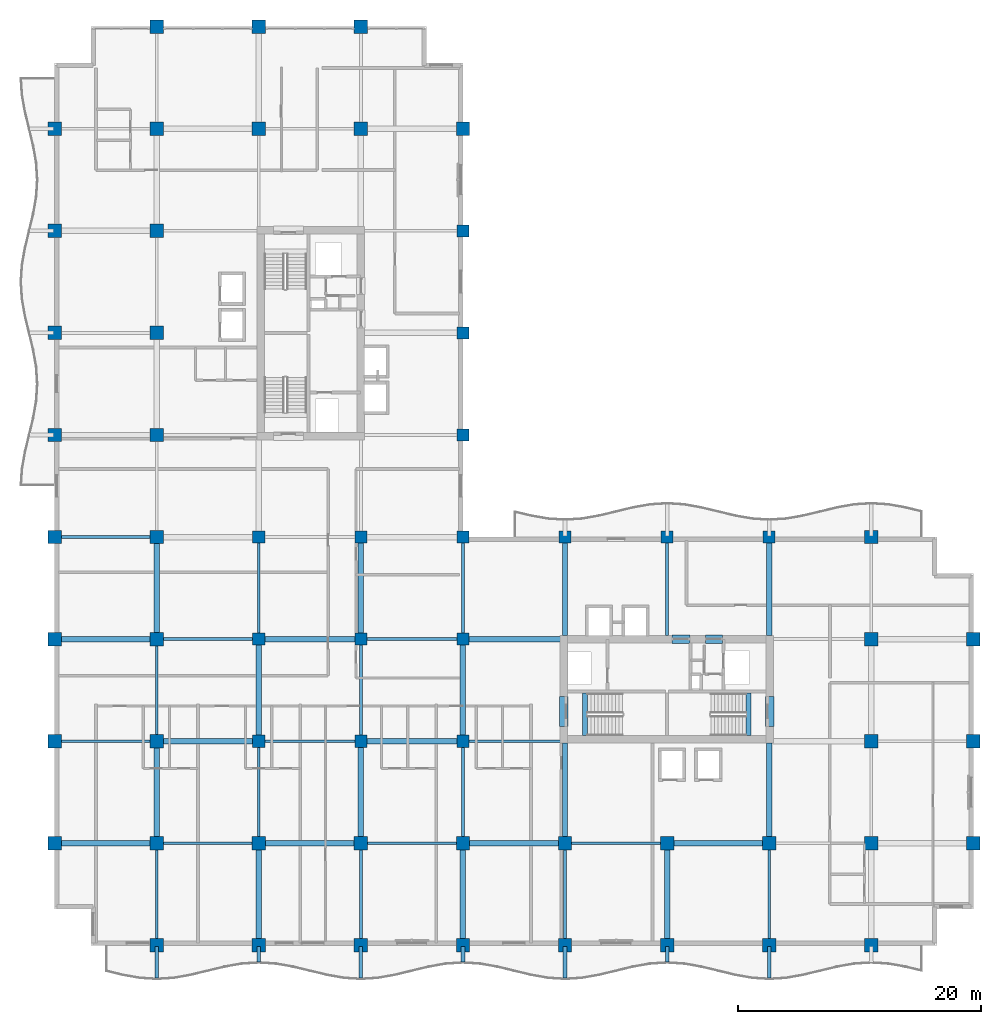
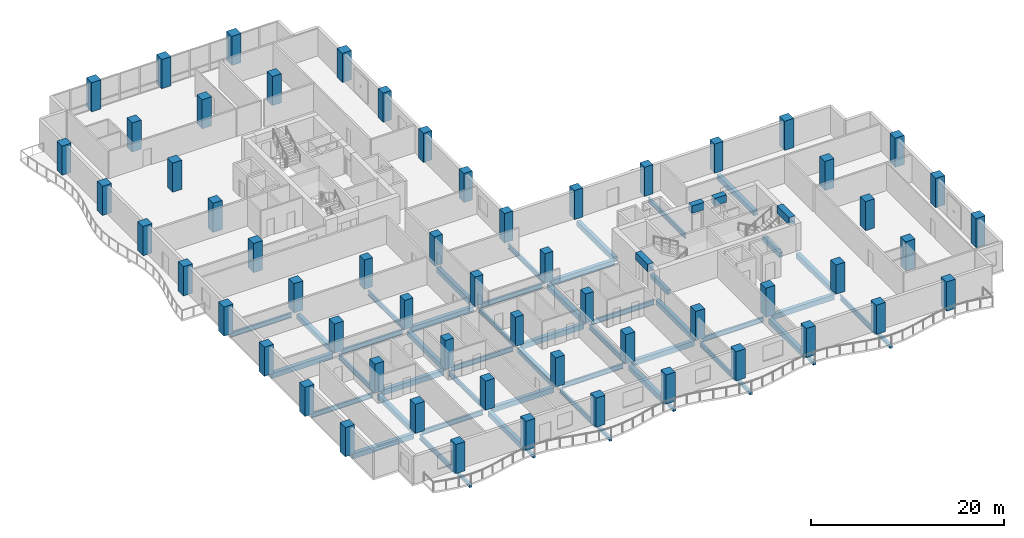
# One storey, part 1 of 18: 58 columns, 55 beams.
"""IFC4 building model written with IfcOpenShell, lengths in metres."""

from ifc_helpers import new_model, si_unit, direction, frame, origin, origin_2d, place, context, subcontext, project, spatial, rectangle, i_section, extrude, material, material_profile, profile_set, type_object, element, save


model = new_model("IFC4")

# Units and contexts
model_context = context("Model", 3, precision=1e-05, world=origin(), true_north=direction((0.0, 1.0)))
body_context = subcontext(model_context, "Body", "Model", "MODEL_VIEW")
ifc_project = project(units=[si_unit("LENGTHUNIT", "METRE"), si_unit("AREAUNIT", "SQUARE_METRE"), si_unit("VOLUMEUNIT", "CUBIC_METRE"), si_unit("PLANEANGLEUNIT", "RADIAN"), si_unit("MASSUNIT", "GRAM", prefix="KILO")], contexts=[model_context])

# Site, building, storey
site_placement = place(None, origin())
site = spatial("IfcSite", under=ifc_project, at=site_placement, CompositionType="ELEMENT")
building_placement = place(site_placement, origin())
building = spatial("IfcBuilding", under=site, at=building_placement, Name="Koriwani Terraces Tower", CompositionType="ELEMENT")
storey_placement = place(building_placement, frame((0.0, 0.0, 205.0)))
storey = spatial("IfcBuildingStorey", under=building, at=storey_placement, Name="L50", CompositionType="ELEMENT", Elevation=205.0)

# Columns
ifc_material_1 = material(Name="Concrete C50/60", Category="concrete")
ifc_material_profile_1 = material_profile(ifc_material_1, rectangle(XDim=1.0, YDim=1.0, at=origin_2d()), Name="Concrete C50/60", Category="LoadBearing")
ifc_profile_set_1 = profile_set([ifc_material_profile_1], Name="Concrete C50/60")
column_type_1 = type_object("IfcColumnType", Name="COL_RC_1000X1000", PredefinedType="COLUMN", material=ifc_profile_set_1)
for number, where, z_axis, x_axis, name in (
    (1, (16.800048828125, 16.800048828125, 0.0), (0.0, 0.0, 1.0), (1.0, 0.0, 0.0), "L50 Column 3/C"),
    (2, (16.800048828125, 25.199951171875, 0.0), (0.0, 0.0, 1.0), (1.0, 0.0, 0.0), "L50 Column 3/D"),
    (3, (16.800048828125, 33.60009765625, 0.0), (0.0, 0.0, 1.0), (1.0, 0.0, 0.0), "L50 Column 3/E"),
    (4, (25.199951171875, 16.800048828125, 0.0), (0.0, 0.0, 1.0), (1.0, 0.0, 0.0), "L50 Column 4/C"),
    (5, (25.199951171875, 25.199951171875, 0.0), (0.0, 0.0, 1.0), (1.0, 0.0, 0.0), "L50 Column 4/D"),
    (6, (25.199951171875, 33.60009765625, 0.0), (0.0, 0.0, 1.0), (1.0, 0.0, 0.0), "L50 Column 4/E"),
    (7, (33.60009765625, 16.800048828125, 0.0), (0.0, 0.0, 1.0), (1.0, 0.0, 0.0), "L50 Column 5/C"),
    (8, (33.60009765625, 25.199951171875, 0.0), (0.0, 0.0, 1.0), (1.0, 0.0, 0.0), "L50 Column 5/D"),
    (9, (33.60009765625, 33.60009765625, 0.0), (0.0, 0.0, 1.0), (1.0, 0.0, 0.0), "L50 Column 5/E"),
    (10, (33.60009765625, 42.0, 0.0), (0.0, 0.0, 1.0), (1.0, 0.0, 0.0), "L50 Column 5/F"),
    (11, (33.60009765625, 50.39990234375, 0.0), (0.0, 0.0, 1.0), (1.0, 0.0, 0.0), "L50 Column 5/G"),
    (12, (33.60009765625, 58.800048828125, 0.0), (0.0, 0.0, 1.0), (1.0, 0.0, 0.0), "L50 Column 5/H"),
    (13, (42.0, 33.60009765625, 0.0), (0.0, 0.0, 1.0), (1.0, 0.0, 0.0), "L50 Column 6/E"),
    (14, (50.39990234375, 33.60009765625, 0.0), (0.0, 0.0, 1.0), (1.0, 0.0, 0.0), "L50 Column 7/E"),
    (15, (58.800048828125, 33.60009765625, 0.0), (0.0, 0.0, 1.0), (1.0, 0.0, 0.0), "L50 Column 8/E"),
):
    element("IfcColumn", number, at=place(storey_placement, frame(where, z_axis=z_axis, x_axis=x_axis)), inside=storey, type_object=column_type_1, Name=name, PredefinedType="COLUMN", context=body_context, shape_type="SweptSolid", body=[
        extrude(rectangle(XDim=1.0, YDim=1.0, at=origin_2d()), origin(), (0.0, 0.0, 1.0), 3.699951171875),
    ])
ifc_material_profile_2 = material_profile(ifc_material_1, rectangle(XDim=1.10009765625, YDim=1.10009765625, at=origin_2d()), Name="Concrete C50/60", Category="LoadBearing")
ifc_profile_set_2 = profile_set([ifc_material_profile_2], Name="Concrete C50/60")
column_type_2 = type_object("IfcColumnType", Name="COL_RC_1100X1100", PredefinedType="COLUMN", material=ifc_profile_set_2)
for number, where, z_axis, x_axis, name in (
    (16, (0.0, 8.39990234375, 0.0), (0.0, 0.0, 1.0), (1.0, 0.0, 0.0), "L50 Column 1/B"),
    (17, (0.0, 16.800048828125, 0.0), (0.0, 0.0, 1.0), (1.0, 0.0, 0.0), "L50 Column 1/C"),
    (18, (0.0, 25.199951171875, 0.0), (0.0, 0.0, 1.0), (1.0, 0.0, 0.0), "L50 Column 1/D"),
    (19, (0.0, 33.60009765625, 0.0), (0.0, 0.0, 1.0), (1.0, 0.0, 0.0), "L50 Column 1/E"),
    (20, (0.0, 42.0, 0.0), (0.0, 0.0, 1.0), (1.0, 0.0, 0.0), "L50 Column 1/F"),
    (21, (0.0, 50.39990234375, 0.0), (0.0, 0.0, 1.0), (1.0, 0.0, 0.0), "L50 Column 1/G"),
    (22, (0.0, 58.800048828125, 0.0), (0.0, 0.0, 1.0), (1.0, 0.0, 0.0), "L50 Column 1/H"),
    (23, (0.0, 67.199951171875, 0.0), (0.0, 0.0, 1.0), (1.0, 0.0, 0.0), "L50 Column 1/I"),
    (24, (8.39990234375, 0.0, 0.0), (0.0, 0.0, 1.0), (1.0, 0.0, 0.0), "L50 Column 2/A"),
    (25, (8.39990234375, 8.39990234375, 0.0), (0.0, 0.0, 1.0), (1.0, 0.0, 0.0), "L50 Column 2/B"),
    (26, (8.39990234375, 16.800048828125, 0.0), (0.0, 0.0, 1.0), (1.0, 0.0, 0.0), "L50 Column 2/C"),
    (27, (8.39990234375, 25.199951171875, 0.0), (0.0, 0.0, 1.0), (1.0, 0.0, 0.0), "L50 Column 2/D"),
    (28, (8.39990234375, 33.60009765625, 0.0), (0.0, 0.0, 1.0), (1.0, 0.0, 0.0), "L50 Column 2/E"),
    (29, (8.39990234375, 42.0, 0.0), (0.0, 0.0, 1.0), (1.0, 0.0, 0.0), "L50 Column 2/F"),
    (30, (8.39990234375, 50.39990234375, 0.0), (0.0, 0.0, 1.0), (1.0, 0.0, 0.0), "L50 Column 2/G"),
    (31, (8.39990234375, 58.800048828125, 0.0), (0.0, 0.0, 1.0), (1.0, 0.0, 0.0), "L50 Column 2/H"),
    (32, (8.39990234375, 67.199951171875, 0.0), (0.0, 0.0, 1.0), (1.0, 0.0, 0.0), "L50 Column 2/I"),
    (33, (8.39990234375, 75.60009765625, 0.0), (0.0, 0.0, 1.0), (1.0, 0.0, 0.0), "L50 Column 2/J"),
    (34, (16.800048828125, 0.0, 0.0), (0.0, 0.0, 1.0), (1.0, 0.0, 0.0), "L50 Column 3/A"),
    (35, (16.800048828125, 8.39990234375, 0.0), (0.0, 0.0, 1.0), (1.0, 0.0, 0.0), "L50 Column 3/B"),
    (36, (16.800048828125, 67.199951171875, 0.0), (0.0, 0.0, 1.0), (1.0, 0.0, 0.0), "L50 Column 3/I"),
    (37, (16.800048828125, 75.60009765625, 0.0), (0.0, 0.0, 1.0), (1.0, 0.0, 0.0), "L50 Column 3/J"),
    (38, (25.199951171875, 0.0, 0.0), (0.0, 0.0, 1.0), (1.0, 0.0, 0.0), "L50 Column 4/A"),
    (39, (25.199951171875, 8.39990234375, 0.0), (0.0, 0.0, 1.0), (1.0, 0.0, 0.0), "L50 Column 4/B"),
    (40, (25.199951171875, 67.199951171875, 0.0), (0.0, 0.0, 1.0), (1.0, 0.0, 0.0), "L50 Column 4/I"),
    (41, (25.199951171875, 75.60009765625, 0.0), (0.0, 0.0, 1.0), (1.0, 0.0, 0.0), "L50 Column 4/J"),
    (42, (33.60009765625, 0.0, 0.0), (0.0, 0.0, 1.0), (1.0, 0.0, 0.0), "L50 Column 5/A"),
    (43, (33.60009765625, 8.39990234375, 0.0), (0.0, 0.0, 1.0), (1.0, 0.0, 0.0), "L50 Column 5/B"),
    (44, (33.60009765625, 67.199951171875, 0.0), (0.0, 0.0, 1.0), (1.0, 0.0, 0.0), "L50 Column 5/I"),
    (45, (42.0, 0.0, 0.0), (0.0, 0.0, 1.0), (1.0, 0.0, 0.0), "L50 Column 6/A"),
    (46, (42.0, 8.39990234375, 0.0), (0.0, 0.0, 1.0), (1.0, 0.0, 0.0), "L50 Column 6/B"),
    (47, (50.39990234375, 0.0, 0.0), (0.0, 0.0, 1.0), (1.0, 0.0, 0.0), "L50 Column 7/A"),
    (48, (50.39990234375, 8.39990234375, 0.0), (0.0, 0.0, 1.0), (1.0, 0.0, 0.0), "L50 Column 7/B"),
    (49, (58.800048828125, 0.0, 0.0), (0.0, 0.0, 1.0), (1.0, 0.0, 0.0), "L50 Column 8/A"),
    (50, (58.800048828125, 8.39990234375, 0.0), (0.0, 0.0, 1.0), (1.0, 0.0, 0.0), "L50 Column 8/B"),
    (51, (67.199951171875, 0.0, 0.0), (0.0, 0.0, 1.0), (1.0, 0.0, 0.0), "L50 Column 9/A"),
    (52, (67.199951171875, 8.39990234375, 0.0), (0.0, 0.0, 1.0), (1.0, 0.0, 0.0), "L50 Column 9/B"),
    (53, (67.199951171875, 16.800048828125, 0.0), (0.0, 0.0, 1.0), (1.0, 0.0, 0.0), "L50 Column 9/C"),
    (54, (67.199951171875, 25.199951171875, 0.0), (0.0, 0.0, 1.0), (1.0, 0.0, 0.0), "L50 Column 9/D"),
    (55, (67.199951171875, 33.60009765625, 0.0), (0.0, 0.0, 1.0), (1.0, 0.0, 0.0), "L50 Column 9/E"),
    (56, (75.60009765625, 8.39990234375, 0.0), (0.0, 0.0, 1.0), (1.0, 0.0, 0.0), "L50 Column 10/B"),
    (57, (75.60009765625, 16.800048828125, 0.0), (0.0, 0.0, 1.0), (1.0, 0.0, 0.0), "L50 Column 10/C"),
    (58, (75.60009765625, 25.199951171875, 0.0), (0.0, 0.0, 1.0), (1.0, 0.0, 0.0), "L50 Column 10/D"),
):
    element("IfcColumn", number, at=place(storey_placement, frame(where, z_axis=z_axis, x_axis=x_axis)), inside=storey, type_object=column_type_2, Name=name, PredefinedType="COLUMN", context=body_context, shape_type="SweptSolid", body=[
        extrude(rectangle(XDim=1.10009765625, YDim=1.10009765625, at=origin_2d()), origin(), (0.0, 0.0, 1.0), 3.699951171875),
    ])

# Beams
ifc_material_2 = material(Name="Concrete C40/50", Category="concrete")
ifc_material_profile_3 = material_profile(ifc_material_2, rectangle(XDim=0.300048828125, YDim=0.39990234375, at=origin_2d()), Name="Concrete C40/50", Category="LoadBearing")
ifc_profile_set_3 = profile_set([ifc_material_profile_3], Name="Concrete C40/50")
beam_type_1 = type_object("IfcBeamType", Name="BEAM_RC_BALCONY_RIB_300X400", PredefinedType="JOIST", material=ifc_profile_set_3)
beam_1_placement = place(storey_placement, frame((8.39990234375, -2.699951171875, -0.429931640625), z_axis=(0.0, 1.0, 0.0), x_axis=(-1.0, 0.0, 0.0)))
element("IfcBeam", 59, at=beam_1_placement, inside=storey, type_object=beam_type_1, Name="L50 Balcony Bracket Rib S-1", PredefinedType="JOIST", context=body_context, shape_type="SweptSolid", body=[
    extrude(rectangle(XDim=0.300048828125, YDim=0.39990234375, at=origin_2d()), origin(), (0.0, 0.0, 1.0), 2.599853515625),
])
beam_2_placement = place(storey_placement, frame((16.800048828125, -1.35009765625, -0.429931640625), z_axis=(0.0, 1.0, 0.0), x_axis=(-1.0, 0.0, 0.0)))
element("IfcBeam", 60, at=beam_2_placement, inside=storey, type_object=beam_type_1, Name="L50 Balcony Bracket Rib S-2", PredefinedType="JOIST", context=body_context, shape_type="SweptSolid", body=[
    extrude(rectangle(XDim=0.300048828125, YDim=0.39990234375, at=origin_2d()), origin(), (0.0, 0.0, 1.0), 1.25),
])
beam_3_placement = place(storey_placement, frame((25.199951171875, -2.699951171875, -0.429931640625), z_axis=(0.0, 1.0, 0.0), x_axis=(-1.0, 0.0, 0.0)))
element("IfcBeam", 61, at=beam_3_placement, inside=storey, type_object=beam_type_1, Name="L50 Balcony Bracket Rib S-3", PredefinedType="JOIST", context=body_context, shape_type="SweptSolid", body=[
    extrude(rectangle(XDim=0.300048828125, YDim=0.39990234375, at=origin_2d()), origin(), (0.0, 0.0, 1.0), 2.599853515625),
])
beam_4_placement = place(storey_placement, frame((33.60009765625, -1.35009765625, -0.429931640625), z_axis=(0.0, 1.0, 0.0), x_axis=(-1.0, 0.0, 0.0)))
element("IfcBeam", 62, at=beam_4_placement, inside=storey, type_object=beam_type_1, Name="L50 Balcony Bracket Rib S-4", PredefinedType="JOIST", context=body_context, shape_type="SweptSolid", body=[
    extrude(rectangle(XDim=0.300048828125, YDim=0.39990234375, at=origin_2d()), origin(), (0.0, 0.0, 1.0), 1.25),
])
beam_5_placement = place(storey_placement, frame((42.0, -2.699951171875, -0.429931640625), z_axis=(0.0, 1.0, 0.0), x_axis=(-1.0, 0.0, 0.0)))
element("IfcBeam", 63, at=beam_5_placement, inside=storey, type_object=beam_type_1, Name="L50 Balcony Bracket Rib S-5", PredefinedType="JOIST", context=body_context, shape_type="SweptSolid", body=[
    extrude(rectangle(XDim=0.300048828125, YDim=0.39990234375, at=origin_2d()), origin(), (0.0, 0.0, 1.0), 2.599853515625),
])
beam_6_placement = place(storey_placement, frame((50.39990234375, -1.35009765625, -0.429931640625), z_axis=(0.0, 1.0, 0.0), x_axis=(-1.0, 0.0, 0.0)))
element("IfcBeam", 64, at=beam_6_placement, inside=storey, type_object=beam_type_1, Name="L50 Balcony Bracket Rib S-6", PredefinedType="JOIST", context=body_context, shape_type="SweptSolid", body=[
    extrude(rectangle(XDim=0.300048828125, YDim=0.39990234375, at=origin_2d()), origin(), (0.0, 0.0, 1.0), 1.25),
])
beam_7_placement = place(storey_placement, frame((58.800048828125, -2.699951171875, -0.429931640625), z_axis=(0.0, 1.0, 0.0), x_axis=(-1.0, 0.0, 0.0)))
element("IfcBeam", 65, at=beam_7_placement, inside=storey, type_object=beam_type_1, Name="L50 Balcony Bracket Rib S-7", PredefinedType="JOIST", context=body_context, shape_type="SweptSolid", body=[
    extrude(rectangle(XDim=0.300048828125, YDim=0.39990234375, at=origin_2d()), origin(), (0.0, 0.0, 1.0), 2.599853515625),
])
ifc_material_3 = material(Name="Concrete C60/75", Category="concrete")
ifc_material_profile_4 = material_profile(ifc_material_3, rectangle(XDim=0.699951171875, YDim=0.949951171875, at=origin_2d()), Name="Concrete C60/75", Category="LoadBearing")
ifc_profile_set_4 = profile_set([ifc_material_profile_4], Name="Concrete C60/75")
beam_type_2 = type_object("IfcBeamType", Name="BEAM_RC_COUPLING_700X950", PredefinedType="LINTEL", material=ifc_profile_set_4)
beam_8_placement = place(storey_placement, frame((50.800048828125, 25.199951171875, 2.9951171875), z_axis=(1.0, 0.0, 0.0), x_axis=(0.0, 1.0, 0.0)))
element("IfcBeam", 66, at=beam_8_placement, inside=storey, type_object=beam_type_2, Name="L50 Core Coupling Lintel Beam EN1", PredefinedType="LINTEL", context=body_context, shape_type="SweptSolid", body=[
    extrude(rectangle(XDim=0.699951171875, YDim=0.949951171875, at=origin_2d()), origin(), (0.0, 0.0, 1.0), 1.47998046875),
])
beam_9_placement = place(storey_placement, frame((53.550048828125, 25.199951171875, 2.9951171875), z_axis=(1.0, 0.0, 0.0), x_axis=(0.0, 1.0, 0.0)))
element("IfcBeam", 67, at=beam_9_placement, inside=storey, type_object=beam_type_2, Name="L50 Core Coupling Lintel Beam EN2", PredefinedType="LINTEL", context=body_context, shape_type="SweptSolid", body=[
    extrude(rectangle(XDim=0.699951171875, YDim=0.949951171875, at=origin_2d()), origin(), (0.0, 0.0, 1.0), 1.39990234375),
])
for number, where, z_axis, x_axis, name in (
    (68, (41.89990234375, 18.0, 2.9951171875), (0.0, 1.0, 0.0), (-1.0, 0.0, 0.0), "L50 Core Coupling Lintel Beam EW"),
    (69, (58.85009765625, 18.0, 2.9951171875), (0.0, 1.0, 0.0), (-1.0, 0.0, 0.0), "L50 Core Coupling Lintel Beam EE"),
):
    element("IfcBeam", number, at=place(storey_placement, frame(where, z_axis=z_axis, x_axis=x_axis)), inside=storey, type_object=beam_type_2, Name=name, PredefinedType="LINTEL", context=body_context, shape_type="SweptSolid", body=[
        extrude(rectangle(XDim=0.699951171875, YDim=0.949951171875, at=origin_2d()), origin(), (0.0, 0.0, 1.0), 2.5),
    ])
ifc_material_profile_5 = material_profile(ifc_material_2, rectangle(XDim=0.39990234375, YDim=0.60009765625, at=origin_2d()), Name="Concrete C40/50", Category="LoadBearing")
ifc_profile_set_5 = profile_set([ifc_material_profile_5], Name="Concrete C40/50")
beam_type_3 = type_object("IfcBeamType", Name="BEAM_RC_GRID_400X600", PredefinedType="BEAM", material=ifc_profile_set_5)
for number, where, z_axis, x_axis, name in (
    (70, (43.655029296875, 17.25, -0.300048828125), (0.0, 1.0, 0.0), (-1.0, 0.0, 0.0), "L50 Stairwell Header Trimmer Beam ST-E1"),
    (71, (57.094970703125, 17.25, -0.300048828125), (0.0, 1.0, 0.0), (-1.0, 0.0, 0.0), "L50 Stairwell Header Trimmer Beam ST-E2"),
):
    element("IfcBeam", number, at=place(storey_placement, frame(where, z_axis=z_axis, x_axis=x_axis)), inside=storey, type_object=beam_type_3, Name=name, PredefinedType="BEAM", context=body_context, shape_type="SweptSolid", body=[
        extrude(rectangle(XDim=0.39990234375, YDim=0.60009765625, at=origin_2d()), origin(), (0.0, 0.0, 1.0), 3.5),
    ])
ifc_material_profile_6 = material_profile(ifc_material_1, rectangle(XDim=0.449951171875, YDim=0.64990234375, at=origin_2d()), Name="Concrete C50/60", Category="LoadBearing")
ifc_profile_set_6 = profile_set([ifc_material_profile_6], Name="Concrete C50/60")
beam_type_4 = type_object("IfcBeamType", Name="BEAM_RC_GRID_450X650", PredefinedType="BEAM", material=ifc_profile_set_6)
beam_10_placement = place(storey_placement, frame((0.530029296875, 8.39990234375, -0.554931640625), z_axis=(1.0, 0.0, 0.0), x_axis=(0.0, 1.0, 0.0)))
element("IfcBeam", 72, at=beam_10_placement, inside=storey, type_object=beam_type_4, Name="L50 Grid Beam B (0.0-8.4m)", PredefinedType="BEAM", context=body_context, shape_type="SweptSolid", body=[
    extrude(rectangle(XDim=0.449951171875, YDim=0.64990234375, at=origin_2d()), origin(), (0.0, 0.0, 1.0), 7.340087890625),
])
beam_11_placement = place(storey_placement, frame((17.330078125, 8.39990234375, -0.554931640625), z_axis=(1.0, 0.0, 0.0), x_axis=(0.0, 1.0, 0.0)))
element("IfcBeam", 73, at=beam_11_placement, inside=storey, type_object=beam_type_4, Name="L50 Grid Beam B (16.8-25.2m)", PredefinedType="BEAM", context=body_context, shape_type="SweptSolid", body=[
    extrude(rectangle(XDim=0.449951171875, YDim=0.64990234375, at=origin_2d()), origin(), (0.0, 0.0, 1.0), 7.33984375),
])
for number, where, z_axis, x_axis, name in (
    (74, (34.1298828125, 8.39990234375, -0.554931640625), (1.0, 0.0, 0.0), (0.0, 1.0, 0.0), "L50 Grid Beam B (33.6-42.0m)"),
    (75, (50.929931640625, 8.39990234375, -0.554931640625), (1.0, 0.0, 0.0), (0.0, 1.0, 0.0), "L50 Grid Beam B (50.4-58.8m)"),
):
    element("IfcBeam", number, at=place(storey_placement, frame(where, z_axis=z_axis, x_axis=x_axis)), inside=storey, type_object=beam_type_4, Name=name, PredefinedType="BEAM", context=body_context, shape_type="SweptSolid", body=[
        extrude(rectangle(XDim=0.449951171875, YDim=0.64990234375, at=origin_2d()), origin(), (0.0, 0.0, 1.0), 7.340087890625),
    ])
beam_12_placement = place(storey_placement, frame((8.929931640625, 16.800048828125, -0.554931640625), z_axis=(1.0, 0.0, 0.0), x_axis=(0.0, 1.0, 0.0)))
element("IfcBeam", 76, at=beam_12_placement, inside=storey, type_object=beam_type_4, Name="L50 Grid Beam C (8.4-16.8m)", PredefinedType="BEAM", context=body_context, shape_type="SweptSolid", body=[
    extrude(rectangle(XDim=0.449951171875, YDim=0.64990234375, at=origin_2d()), origin(), (0.0, 0.0, 1.0), 7.39013671875),
])
beam_13_placement = place(storey_placement, frame((25.679931640625, 16.800048828125, -0.554931640625), z_axis=(1.0, 0.0, 0.0), x_axis=(0.0, 1.0, 0.0)))
element("IfcBeam", 77, at=beam_13_placement, inside=storey, type_object=beam_type_4, Name="L50 Grid Beam C (25.2-33.6m)", PredefinedType="BEAM", context=body_context, shape_type="SweptSolid", body=[
    extrude(rectangle(XDim=0.449951171875, YDim=0.64990234375, at=origin_2d()), origin(), (0.0, 0.0, 1.0), 7.440185546875),
])
beam_14_placement = place(storey_placement, frame((0.530029296875, 25.199951171875, -0.554931640625), z_axis=(1.0, 0.0, 0.0), x_axis=(0.0, 1.0, 0.0)))
element("IfcBeam", 78, at=beam_14_placement, inside=storey, type_object=beam_type_4, Name="L50 Grid Beam D (0.0-8.4m)", PredefinedType="BEAM", context=body_context, shape_type="SweptSolid", body=[
    extrude(rectangle(XDim=0.449951171875, YDim=0.64990234375, at=origin_2d()), origin(), (0.0, 0.0, 1.0), 7.340087890625),
])
beam_15_placement = place(storey_placement, frame((17.280029296875, 25.199951171875, -0.554931640625), z_axis=(1.0, 0.0, 0.0), x_axis=(0.0, 1.0, 0.0)))
element("IfcBeam", 79, at=beam_15_placement, inside=storey, type_object=beam_type_4, Name="L50 Grid Beam D (16.8-25.2m)", PredefinedType="BEAM", context=body_context, shape_type="SweptSolid", body=[
    extrude(rectangle(XDim=0.449951171875, YDim=0.64990234375, at=origin_2d()), origin(), (0.0, 0.0, 1.0), 7.43994140625),
])
beam_16_placement = place(storey_placement, frame((34.080078125, 25.199951171875, -0.554931640625), z_axis=(1.0, 0.0, 0.0), x_axis=(0.0, 1.0, 0.0)))
element("IfcBeam", 80, at=beam_16_placement, inside=storey, type_object=beam_type_4, Name="L50 Grid Beam D (33.6-42.0m)", PredefinedType="BEAM", context=body_context, shape_type="SweptSolid", body=[
    extrude(rectangle(XDim=0.449951171875, YDim=0.64990234375, at=origin_2d()), origin(), (0.0, 0.0, 1.0), 7.5400390625),
])
for number, where, z_axis, x_axis, name in (
    (81, (8.39990234375, 8.929931640625, -0.554931640625), (0.0, 1.0, 0.0), (-1.0, 0.0, 0.0), "L50 Grid Beam 2 (8.4-16.8m)"),
    (82, (8.39990234375, 25.72998046875, -0.554931640625), (0.0, 1.0, 0.0), (-1.0, 0.0, 0.0), "L50 Grid Beam 2 (25.2-33.6m)"),
    (83, (16.800048828125, 0.530029296875, -0.554931640625), (0.0, 1.0, 0.0), (-1.0, 0.0, 0.0), "L50 Grid Beam 3 (0.0-8.4m)"),
):
    element("IfcBeam", number, at=place(storey_placement, frame(where, z_axis=z_axis, x_axis=x_axis)), inside=storey, type_object=beam_type_4, Name=name, PredefinedType="BEAM", context=body_context, shape_type="SweptSolid", body=[
        extrude(rectangle(XDim=0.449951171875, YDim=0.64990234375, at=origin_2d()), origin(), (0.0, 0.0, 1.0), 7.340087890625),
    ])
beam_17_placement = place(storey_placement, frame((16.800048828125, 17.280029296875, -0.554931640625), z_axis=(0.0, 1.0, 0.0), x_axis=(-1.0, 0.0, 0.0)))
element("IfcBeam", 84, at=beam_17_placement, inside=storey, type_object=beam_type_4, Name="L50 Grid Beam 3 (16.8-25.2m)", PredefinedType="BEAM", context=body_context, shape_type="SweptSolid", body=[
    extrude(rectangle(XDim=0.449951171875, YDim=0.64990234375, at=origin_2d()), origin(), (0.0, 0.0, 1.0), 7.43994140625),
])
beam_18_placement = place(storey_placement, frame((25.199951171875, 8.929931640625, -0.554931640625), z_axis=(0.0, 1.0, 0.0), x_axis=(-1.0, 0.0, 0.0)))
element("IfcBeam", 85, at=beam_18_placement, inside=storey, type_object=beam_type_4, Name="L50 Grid Beam 4 (8.4-16.8m)", PredefinedType="BEAM", context=body_context, shape_type="SweptSolid", body=[
    extrude(rectangle(XDim=0.449951171875, YDim=0.64990234375, at=origin_2d()), origin(), (0.0, 0.0, 1.0), 7.39013671875),
])
beam_19_placement = place(storey_placement, frame((25.199951171875, 25.679931640625, -0.554931640625), z_axis=(0.0, 1.0, 0.0), x_axis=(-1.0, 0.0, 0.0)))
element("IfcBeam", 86, at=beam_19_placement, inside=storey, type_object=beam_type_4, Name="L50 Grid Beam 4 (25.2-33.6m)", PredefinedType="BEAM", context=body_context, shape_type="SweptSolid", body=[
    extrude(rectangle(XDim=0.449951171875, YDim=0.64990234375, at=origin_2d()), origin(), (0.0, 0.0, 1.0), 7.440185546875),
])
beam_20_placement = place(storey_placement, frame((33.60009765625, 0.530029296875, -0.554931640625), z_axis=(0.0, 1.0, 0.0), x_axis=(-1.0, 0.0, 0.0)))
element("IfcBeam", 87, at=beam_20_placement, inside=storey, type_object=beam_type_4, Name="L50 Grid Beam 5 (0.0-8.4m)", PredefinedType="BEAM", context=body_context, shape_type="SweptSolid", body=[
    extrude(rectangle(XDim=0.449951171875, YDim=0.64990234375, at=origin_2d()), origin(), (0.0, 0.0, 1.0), 7.340087890625),
])
beam_21_placement = place(storey_placement, frame((33.60009765625, 17.280029296875, -0.554931640625), z_axis=(0.0, 1.0, 0.0), x_axis=(-1.0, 0.0, 0.0)))
element("IfcBeam", 88, at=beam_21_placement, inside=storey, type_object=beam_type_4, Name="L50 Grid Beam 5 (16.8-25.2m)", PredefinedType="BEAM", context=body_context, shape_type="SweptSolid", body=[
    extrude(rectangle(XDim=0.449951171875, YDim=0.64990234375, at=origin_2d()), origin(), (0.0, 0.0, 1.0), 7.43994140625),
])
beam_22_placement = place(storey_placement, frame((42.0, 8.929931640625, -0.554931640625), z_axis=(0.0, 1.0, 0.0), x_axis=(-1.0, 0.0, 0.0)))
element("IfcBeam", 89, at=beam_22_placement, inside=storey, type_object=beam_type_4, Name="L50 Grid Beam 6 (8.4-16.8m)", PredefinedType="BEAM", context=body_context, shape_type="SweptSolid", body=[
    extrude(rectangle(XDim=0.449951171875, YDim=0.64990234375, at=origin_2d()), origin(), (0.0, 0.0, 1.0), 7.739990234375),
])
beam_23_placement = place(storey_placement, frame((42.0, 25.47998046875, -0.554931640625), z_axis=(0.0, 1.0, 0.0), x_axis=(-1.0, 0.0, 0.0)))
element("IfcBeam", 90, at=beam_23_placement, inside=storey, type_object=beam_type_4, Name="L50 Grid Beam 6 (25.2-33.6m)", PredefinedType="BEAM", context=body_context, shape_type="SweptSolid", body=[
    extrude(rectangle(XDim=0.449951171875, YDim=0.64990234375, at=origin_2d()), origin(), (0.0, 0.0, 1.0), 7.64013671875),
])
beam_24_placement = place(storey_placement, frame((50.39990234375, 0.530029296875, -0.554931640625), z_axis=(0.0, 1.0, 0.0), x_axis=(-1.0, 0.0, 0.0)))
element("IfcBeam", 91, at=beam_24_placement, inside=storey, type_object=beam_type_4, Name="L50 Grid Beam 7 (0.0-8.4m)", PredefinedType="BEAM", context=body_context, shape_type="SweptSolid", body=[
    extrude(rectangle(XDim=0.449951171875, YDim=0.64990234375, at=origin_2d()), origin(), (0.0, 0.0, 1.0), 7.340087890625),
])
beam_25_placement = place(storey_placement, frame((58.800048828125, 8.929931640625, -0.554931640625), z_axis=(0.0, 1.0, 0.0), x_axis=(-1.0, 0.0, 0.0)))
element("IfcBeam", 92, at=beam_25_placement, inside=storey, type_object=beam_type_4, Name="L50 Grid Beam 8 (8.4-16.8m)", PredefinedType="BEAM", context=body_context, shape_type="SweptSolid", body=[
    extrude(rectangle(XDim=0.449951171875, YDim=0.64990234375, at=origin_2d()), origin(), (0.0, 0.0, 1.0), 7.739990234375),
])
beam_26_placement = place(storey_placement, frame((58.800048828125, 25.47998046875, -0.554931640625), z_axis=(0.0, 1.0, 0.0), x_axis=(-1.0, 0.0, 0.0)))
element("IfcBeam", 93, at=beam_26_placement, inside=storey, type_object=beam_type_4, Name="L50 Grid Beam 8 (25.2-33.6m)", PredefinedType="BEAM", context=body_context, shape_type="SweptSolid", body=[
    extrude(rectangle(XDim=0.449951171875, YDim=0.64990234375, at=origin_2d()), origin(), (0.0, 0.0, 1.0), 7.64013671875),
])
ifc_material_4 = material(Name="Steel ASTM A572 Grade 50", Category="steel")
ifc_material_profile_7 = material_profile(ifc_material_4, i_section(OverallWidth=0.23095703125, OverallDepth=0.616943359375, WebThickness=0.015380859375, FlangeThickness=0.0244140625, at=origin_2d()), Name="Steel ASTM A572 Grade 50", Category="LoadBearing")
ifc_profile_set_7 = profile_set([ifc_material_profile_7], Name="Steel ASTM A572 Grade 50")
beam_type_5 = type_object("IfcBeamType", Name="STEEL_BEAM_W610X195", PredefinedType="BEAM", material=ifc_profile_set_7)
for number, where, z_axis, x_axis, name in (
    (94, (8.929931640625, 8.39990234375, -0.53857421875), (1.0, 0.0, 0.0), (0.0, 1.0, 0.0), "L50 Grid Beam B (8.4-16.8m)"),
    (95, (25.72998046875, 8.39990234375, -0.53857421875), (1.0, 0.0, 0.0), (0.0, 1.0, 0.0), "L50 Grid Beam B (25.2-33.6m)"),
    (96, (42.530029296875, 8.39990234375, -0.53857421875), (1.0, 0.0, 0.0), (0.0, 1.0, 0.0), "L50 Grid Beam B (42.0-50.4m)"),
    (97, (0.530029296875, 16.800048828125, -0.53857421875), (1.0, 0.0, 0.0), (0.0, 1.0, 0.0), "L50 Grid Beam C (0.0-8.4m)"),
):
    element("IfcBeam", number, at=place(storey_placement, frame(where, z_axis=z_axis, x_axis=x_axis)), inside=storey, type_object=beam_type_5, Name=name, PredefinedType="BEAM", context=body_context, shape_type="SweptSolid", body=[
        extrude(i_section(OverallWidth=0.23095703125, OverallDepth=0.616943359375, WebThickness=0.015380859375, FlangeThickness=0.0244140625, at=origin_2d()), origin(), (0.0, 0.0, 1.0), 7.340087890625),
    ])
beam_27_placement = place(storey_placement, frame((17.280029296875, 16.800048828125, -0.53857421875), z_axis=(1.0, 0.0, 0.0), x_axis=(0.0, 1.0, 0.0)))
element("IfcBeam", 98, at=beam_27_placement, inside=storey, type_object=beam_type_5, Name="L50 Grid Beam C (16.8-25.2m)", PredefinedType="BEAM", context=body_context, shape_type="SweptSolid", body=[
    extrude(i_section(OverallWidth=0.23095703125, OverallDepth=0.616943359375, WebThickness=0.015380859375, FlangeThickness=0.0244140625, at=origin_2d()), origin(), (0.0, 0.0, 1.0), 7.43994140625),
])
beam_28_placement = place(storey_placement, frame((34.080078125, 16.800048828125, -0.53857421875), z_axis=(1.0, 0.0, 0.0), x_axis=(0.0, 1.0, 0.0)))
element("IfcBeam", 99, at=beam_28_placement, inside=storey, type_object=beam_type_5, Name="L50 Grid Beam C (33.6-42.0m)", PredefinedType="BEAM", context=body_context, shape_type="SweptSolid", body=[
    extrude(i_section(OverallWidth=0.23095703125, OverallDepth=0.616943359375, WebThickness=0.015380859375, FlangeThickness=0.0244140625, at=origin_2d()), origin(), (0.0, 0.0, 1.0), 7.5400390625),
])
beam_29_placement = place(storey_placement, frame((8.929931640625, 25.199951171875, -0.53857421875), z_axis=(1.0, 0.0, 0.0), x_axis=(0.0, 1.0, 0.0)))
element("IfcBeam", 100, at=beam_29_placement, inside=storey, type_object=beam_type_5, Name="L50 Grid Beam D (8.4-16.8m)", PredefinedType="BEAM", context=body_context, shape_type="SweptSolid", body=[
    extrude(i_section(OverallWidth=0.23095703125, OverallDepth=0.616943359375, WebThickness=0.015380859375, FlangeThickness=0.0244140625, at=origin_2d()), origin(), (0.0, 0.0, 1.0), 7.39013671875),
])
beam_30_placement = place(storey_placement, frame((25.679931640625, 25.199951171875, -0.53857421875), z_axis=(1.0, 0.0, 0.0), x_axis=(0.0, 1.0, 0.0)))
element("IfcBeam", 101, at=beam_30_placement, inside=storey, type_object=beam_type_5, Name="L50 Grid Beam D (25.2-33.6m)", PredefinedType="BEAM", context=body_context, shape_type="SweptSolid", body=[
    extrude(i_section(OverallWidth=0.23095703125, OverallDepth=0.616943359375, WebThickness=0.015380859375, FlangeThickness=0.0244140625, at=origin_2d()), origin(), (0.0, 0.0, 1.0), 7.440185546875),
])
for number, where, z_axis, x_axis, name in (
    (102, (0.530029296875, 33.60009765625, -0.53857421875), (1.0, 0.0, 0.0), (0.0, 1.0, 0.0), "L50 Grid Beam E (0.0-8.4m)"),
    (103, (8.39990234375, 0.530029296875, -0.53857421875), (0.0, 1.0, 0.0), (-1.0, 0.0, 0.0), "L50 Grid Beam 2 (0.0-8.4m)"),
):
    element("IfcBeam", number, at=place(storey_placement, frame(where, z_axis=z_axis, x_axis=x_axis)), inside=storey, type_object=beam_type_5, Name=name, PredefinedType="BEAM", context=body_context, shape_type="SweptSolid", body=[
        extrude(i_section(OverallWidth=0.23095703125, OverallDepth=0.616943359375, WebThickness=0.015380859375, FlangeThickness=0.0244140625, at=origin_2d()), origin(), (0.0, 0.0, 1.0), 7.340087890625),
    ])
beam_31_placement = place(storey_placement, frame((8.39990234375, 17.330078125, -0.53857421875), z_axis=(0.0, 1.0, 0.0), x_axis=(-1.0, 0.0, 0.0)))
element("IfcBeam", 104, at=beam_31_placement, inside=storey, type_object=beam_type_5, Name="L50 Grid Beam 2 (16.8-25.2m)", PredefinedType="BEAM", context=body_context, shape_type="SweptSolid", body=[
    extrude(i_section(OverallWidth=0.23095703125, OverallDepth=0.616943359375, WebThickness=0.015380859375, FlangeThickness=0.0244140625, at=origin_2d()), origin(), (0.0, 0.0, 1.0), 7.33984375),
])
beam_32_placement = place(storey_placement, frame((16.800048828125, 8.929931640625, -0.53857421875), z_axis=(0.0, 1.0, 0.0), x_axis=(-1.0, 0.0, 0.0)))
element("IfcBeam", 105, at=beam_32_placement, inside=storey, type_object=beam_type_5, Name="L50 Grid Beam 3 (8.4-16.8m)", PredefinedType="BEAM", context=body_context, shape_type="SweptSolid", body=[
    extrude(i_section(OverallWidth=0.23095703125, OverallDepth=0.616943359375, WebThickness=0.015380859375, FlangeThickness=0.0244140625, at=origin_2d()), origin(), (0.0, 0.0, 1.0), 7.39013671875),
])
beam_33_placement = place(storey_placement, frame((16.800048828125, 25.679931640625, -0.53857421875), z_axis=(0.0, 1.0, 0.0), x_axis=(-1.0, 0.0, 0.0)))
element("IfcBeam", 106, at=beam_33_placement, inside=storey, type_object=beam_type_5, Name="L50 Grid Beam 3 (25.2-33.6m)", PredefinedType="BEAM", context=body_context, shape_type="SweptSolid", body=[
    extrude(i_section(OverallWidth=0.23095703125, OverallDepth=0.616943359375, WebThickness=0.015380859375, FlangeThickness=0.0244140625, at=origin_2d()), origin(), (0.0, 0.0, 1.0), 7.440185546875),
])
beam_34_placement = place(storey_placement, frame((25.199951171875, 0.530029296875, -0.53857421875), z_axis=(0.0, 1.0, 0.0), x_axis=(-1.0, 0.0, 0.0)))
element("IfcBeam", 107, at=beam_34_placement, inside=storey, type_object=beam_type_5, Name="L50 Grid Beam 4 (0.0-8.4m)", PredefinedType="BEAM", context=body_context, shape_type="SweptSolid", body=[
    extrude(i_section(OverallWidth=0.23095703125, OverallDepth=0.616943359375, WebThickness=0.015380859375, FlangeThickness=0.0244140625, at=origin_2d()), origin(), (0.0, 0.0, 1.0), 7.340087890625),
])
beam_35_placement = place(storey_placement, frame((25.199951171875, 17.280029296875, -0.53857421875), z_axis=(0.0, 1.0, 0.0), x_axis=(-1.0, 0.0, 0.0)))
element("IfcBeam", 108, at=beam_35_placement, inside=storey, type_object=beam_type_5, Name="L50 Grid Beam 4 (16.8-25.2m)", PredefinedType="BEAM", context=body_context, shape_type="SweptSolid", body=[
    extrude(i_section(OverallWidth=0.23095703125, OverallDepth=0.616943359375, WebThickness=0.015380859375, FlangeThickness=0.0244140625, at=origin_2d()), origin(), (0.0, 0.0, 1.0), 7.43994140625),
])
beam_36_placement = place(storey_placement, frame((33.60009765625, 8.929931640625, -0.53857421875), z_axis=(0.0, 1.0, 0.0), x_axis=(-1.0, 0.0, 0.0)))
element("IfcBeam", 109, at=beam_36_placement, inside=storey, type_object=beam_type_5, Name="L50 Grid Beam 5 (8.4-16.8m)", PredefinedType="BEAM", context=body_context, shape_type="SweptSolid", body=[
    extrude(i_section(OverallWidth=0.23095703125, OverallDepth=0.616943359375, WebThickness=0.015380859375, FlangeThickness=0.0244140625, at=origin_2d()), origin(), (0.0, 0.0, 1.0), 7.39013671875),
])
beam_37_placement = place(storey_placement, frame((33.60009765625, 25.679931640625, -0.53857421875), z_axis=(0.0, 1.0, 0.0), x_axis=(-1.0, 0.0, 0.0)))
element("IfcBeam", 110, at=beam_37_placement, inside=storey, type_object=beam_type_5, Name="L50 Grid Beam 5 (25.2-33.6m)", PredefinedType="BEAM", context=body_context, shape_type="SweptSolid", body=[
    extrude(i_section(OverallWidth=0.23095703125, OverallDepth=0.616943359375, WebThickness=0.015380859375, FlangeThickness=0.0244140625, at=origin_2d()), origin(), (0.0, 0.0, 1.0), 7.440185546875),
])
beam_38_placement = place(storey_placement, frame((42.0, 0.530029296875, -0.53857421875), z_axis=(0.0, 1.0, 0.0), x_axis=(-1.0, 0.0, 0.0)))
element("IfcBeam", 111, at=beam_38_placement, inside=storey, type_object=beam_type_5, Name="L50 Grid Beam 6 (0.0-8.4m)", PredefinedType="BEAM", context=body_context, shape_type="SweptSolid", body=[
    extrude(i_section(OverallWidth=0.23095703125, OverallDepth=0.616943359375, WebThickness=0.015380859375, FlangeThickness=0.0244140625, at=origin_2d()), origin(), (0.0, 0.0, 1.0), 7.340087890625),
])
beam_39_placement = place(storey_placement, frame((50.39990234375, 25.47998046875, -0.53857421875), z_axis=(0.0, 1.0, 0.0), x_axis=(-1.0, 0.0, 0.0)))
element("IfcBeam", 112, at=beam_39_placement, inside=storey, type_object=beam_type_5, Name="L50 Grid Beam 7 (25.2-33.6m)", PredefinedType="BEAM", context=body_context, shape_type="SweptSolid", body=[
    extrude(i_section(OverallWidth=0.23095703125, OverallDepth=0.616943359375, WebThickness=0.015380859375, FlangeThickness=0.0244140625, at=origin_2d()), origin(), (0.0, 0.0, 1.0), 7.64013671875),
])
beam_40_placement = place(storey_placement, frame((58.800048828125, 0.530029296875, -0.53857421875), z_axis=(0.0, 1.0, 0.0), x_axis=(-1.0, 0.0, 0.0)))
element("IfcBeam", 113, at=beam_40_placement, inside=storey, type_object=beam_type_5, Name="L50 Grid Beam 8 (0.0-8.4m)", PredefinedType="BEAM", context=body_context, shape_type="SweptSolid", body=[
    extrude(i_section(OverallWidth=0.23095703125, OverallDepth=0.616943359375, WebThickness=0.015380859375, FlangeThickness=0.0244140625, at=origin_2d()), origin(), (0.0, 0.0, 1.0), 7.340087890625),
])

save(model, "model.ifc")
